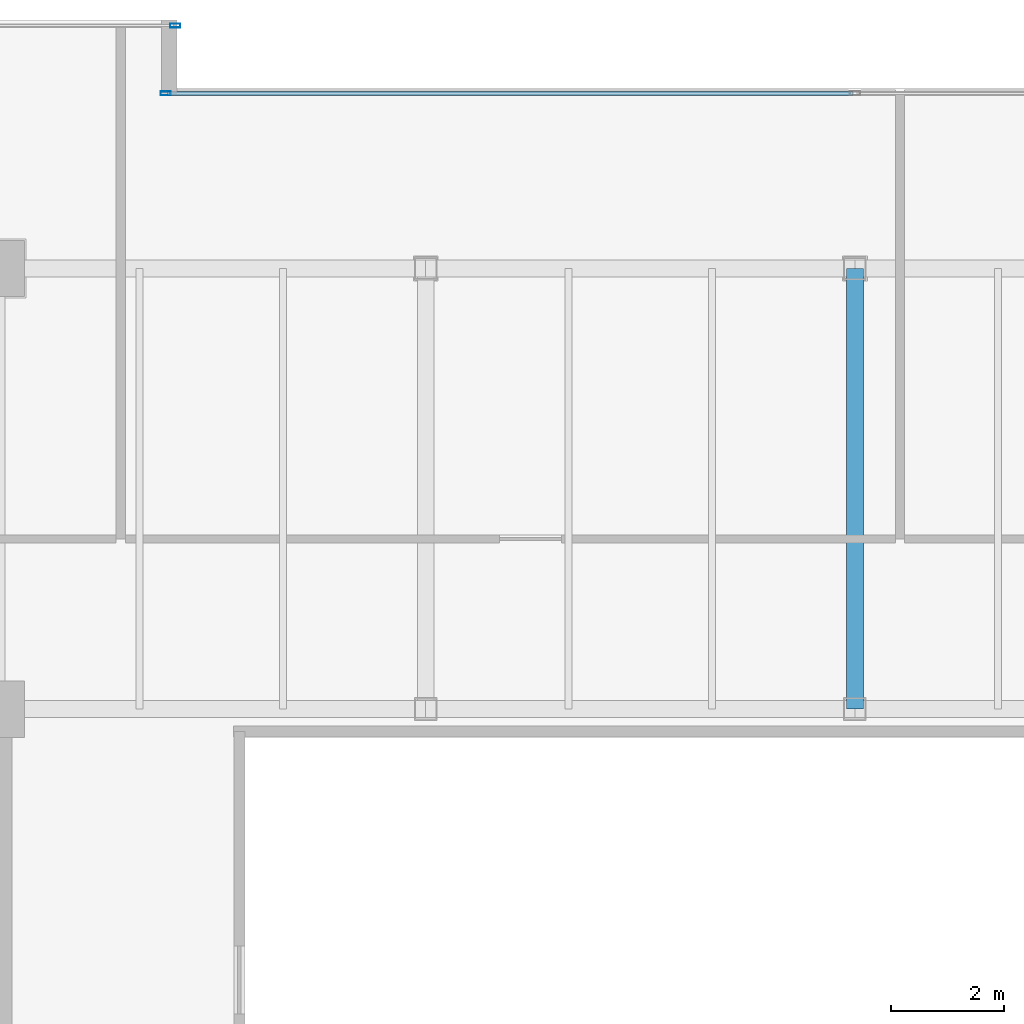
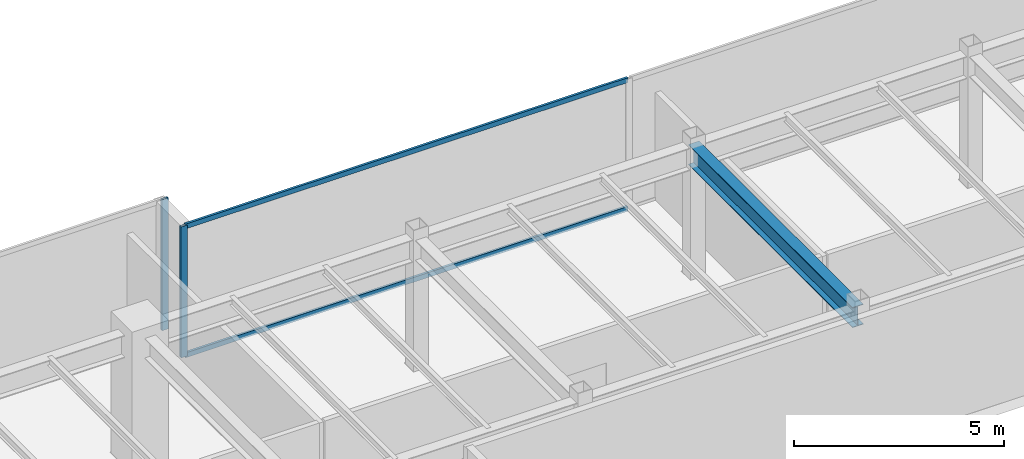
# One storey, part 17 of 36: 4 members, 1 beam, 2 elements without a shape of their own.
"""IFC4 building model written with IfcOpenShell, lengths in metres."""

from ifc_helpers import new_model, si_unit, direction, frame, origin, origin_2d, place, context, subcontext, project, spatial, hollow_rectangle, i_section, extrude, source, transform, mapped, material, layer, layer_set, material_profile, profile_set, type_object, type_shapes, element, aggregate, save


model = new_model("IFC4")

# Units and contexts
model_context = context("Model", 3, precision=1e-05, world=origin(), true_north=direction((0.0, 1.0)))
body_context = subcontext(model_context, "Body", "Model", "MODEL_VIEW")
ifc_project = project(units=[si_unit("LENGTHUNIT", "METRE"), si_unit("AREAUNIT", "SQUARE_METRE"), si_unit("VOLUMEUNIT", "CUBIC_METRE"), si_unit("PLANEANGLEUNIT", "RADIAN"), si_unit("MASSUNIT", "GRAM", prefix="KILO")], contexts=[model_context])

# Site, building, storey
site_placement = place(None, origin())
site = spatial("IfcSite", under=ifc_project, at=site_placement, CompositionType="ELEMENT")
building_placement = place(site_placement, origin())
building = spatial("IfcBuilding", under=site, at=building_placement, Name="Haelvirn Gate Laboratories", CompositionType="ELEMENT")
storey_placement = place(building_placement, frame((0.0, 0.0, 254.699951171875)))
storey = spatial("IfcBuildingStorey", under=building, at=storey_placement, Name="L61", CompositionType="ELEMENT", Elevation=254.699951171875)

# Beam
ifc_material_1 = material(Name="Steel SM355", Category="steel")
ifc_material_profile_1 = material_profile(ifc_material_1, i_section(OverallWidth=0.300048828125, OverallDepth=0.587890625, WebThickness=0.011962890625, FlangeThickness=0.02001953125, at=origin_2d()), Name="H-588x300x12x20")
ifc_profile_set_1 = profile_set([ifc_material_profile_1], Name="Steel SM355")
beam_type = type_object("IfcBeamType", Name="BM-G-588", PredefinedType="BEAM", material=ifc_profile_set_1)
shared_shape_1 = source(origin(), body_context, "Body", "SweptSolid", [
    extrude(i_section(OverallWidth=0.300048828125, OverallDepth=0.587890625, WebThickness=0.011962890625, FlangeThickness=0.02001953125, at=origin_2d()), origin(), (0.0, 0.0, 1.0), 7.800048828125),
])
type_shapes(beam_type, [shared_shape_1])
beam_placement = place(storey_placement, frame((37.39990234375, 33.800048828125, 3.506103515625), z_axis=(0.0, 1.0, 0.0), x_axis=(-1.0, 0.0, 0.0)))
element("IfcBeam", 1, at=beam_placement, inside=storey, type_object=beam_type, Name="L61 Frame Girder X37.4 (33.8-41.6)", PredefinedType="BEAM", context=body_context, shape_type="MappedRepresentation", body=[
    mapped(shared_shape_1, transform((0.0, 0.0, 0.0), scale=1.0)),
])

# Curtain wall, members
ifc_material_2 = material(Name="Anodised bronze unitised aluminium & triple low-E glass", Category="aluminium")
ifc_layer = layer(ifc_material_2, 0.176025390625, Name="CW-SYS-4")
ifc_layer_set = layer_set([ifc_layer], Name="Anodised bronze unitised aluminium & triple low-E glass")
curtain_wall_type = type_object("IfcCurtainWallType", Name="CW-SYS-4", PredefinedType="NOTDEFINED", material=ifc_layer_set)
curtain_wall_1_placement = place(storey_placement, origin())
curtain_wall_1 = element("IfcCurtainWall", 2, at=curtain_wall_1_placement, inside=storey, type_object=curtain_wall_type, Name="L61 Unitised Curtain Wall CW-L61-P0-E12-1", PredefinedType="NOTDEFINED")
ifc_material_3 = material(Name="Extruded aluminium 6063-T6 (anodised bronze)", Category="aluminium")
ifc_material_profile_2 = material_profile(ifc_material_3, hollow_rectangle(XDim=0.06494140625, YDim=0.139892578125, WallThickness=0.00390625, at=origin_2d()), Name="CWT-140x65x4")
ifc_profile_set_2 = profile_set([ifc_material_profile_2], Name="Extruded aluminium 6063-T6 (anodised bronze)")
member_type_1 = type_object("IfcMemberType", Name="CWT-T140", PredefinedType="USERDEFINED", material=ifc_profile_set_2)
shared_shape_2 = source(origin(), body_context, "Body", "SweptSolid", [
    extrude(hollow_rectangle(XDim=0.06494140625, YDim=0.139892578125, WallThickness=0.00390625, at=origin_2d()), origin(), (0.0, 0.0, 1.0), 12.135009765625),
])
type_shapes(member_type_1, [shared_shape_2])
member_1_placement = place(storey_placement, frame((25.22998046875, 44.699951171875, 0.032470703125), z_axis=(1.0, 0.0, 0.0), x_axis=(0.0, 1.0, 0.0)))
member_1 = element("IfcMember", 3, at=member_1_placement, type_object=member_type_1, Name="CW4 transom 1.1", ObjectType="TRANSOM", PredefinedType="USERDEFINED", context=body_context, shape_type="MappedRepresentation", body=[
    mapped(shared_shape_2, transform((0.0, 0.0, 0.0), scale=1.0)),
])
member_2_placement = place(storey_placement, frame((25.22998046875, 44.699951171875, 3.767578125), z_axis=(1.0, 0.0, 0.0), x_axis=(0.0, 1.0, 0.0)))
member_2 = element("IfcMember", 4, at=member_2_placement, type_object=member_type_1, Name="CW4 transom 1.2", ObjectType="TRANSOM", PredefinedType="USERDEFINED", context=body_context, shape_type="MappedRepresentation", body=[
    mapped(shared_shape_2, transform((0.0, 0.0, 0.0), scale=1.0)),
])
ifc_material_profile_3 = material_profile(ifc_material_3, hollow_rectangle(XDim=0.070068359375, YDim=0.179931640625, WallThickness=0.0048828125, at=origin_2d()), Name="CWM-180x70x5")
ifc_profile_set_3 = profile_set([ifc_material_profile_3], Name="Extruded aluminium 6063-T6 (anodised bronze)")
member_type_2 = type_object("IfcMemberType", Name="CWM-T180", PredefinedType="MULLION", material=ifc_profile_set_3)
shared_shape_3 = source(origin(), body_context, "Body", "SweptSolid", [
    extrude(hollow_rectangle(XDim=0.070068359375, YDim=0.179931640625, WallThickness=0.0048828125, at=origin_2d()), origin(), (0.0, 0.0, 1.0), 3.800048828125),
])
type_shapes(member_type_2, [shared_shape_3])
member_3_placement = place(storey_placement, frame((25.195068359375, 44.699951171875, 0.0), z_axis=(0.0, 0.0, 1.0), x_axis=(0.0, 1.0, 0.0)))
member_3 = element("IfcMember", 5, at=member_3_placement, type_object=member_type_2, Name="CW4 mullion 1", PredefinedType="MULLION", context=body_context, shape_type="MappedRepresentation", body=[
    mapped(shared_shape_3, transform((0.0, 0.0, 0.0), scale=1.0)),
])
aggregate(curtain_wall_1, [member_3, member_1, member_2])

# Curtain wall, member
curtain_wall_2_placement = place(storey_placement, origin())
curtain_wall_2 = element("IfcCurtainWall", 6, at=curtain_wall_2_placement, inside=storey, type_object=curtain_wall_type, Name="L61 Unitised Curtain Wall CW-L61-P0-E14-1", PredefinedType="NOTDEFINED")
member_4_placement = place(storey_placement, frame((25.364990234375, 45.89990234375, 0.0), z_axis=(0.0, 0.0, 1.0), x_axis=(0.0, 1.0, 0.0)))
member_4 = element("IfcMember", 7, at=member_4_placement, type_object=member_type_2, Name="CW4 mullion 3", PredefinedType="MULLION", context=body_context, shape_type="MappedRepresentation", body=[
    mapped(shared_shape_3, transform((0.0, 0.0, 0.0), scale=1.0)),
])
aggregate(curtain_wall_2, [member_4])

save(model, "model.ifc")
